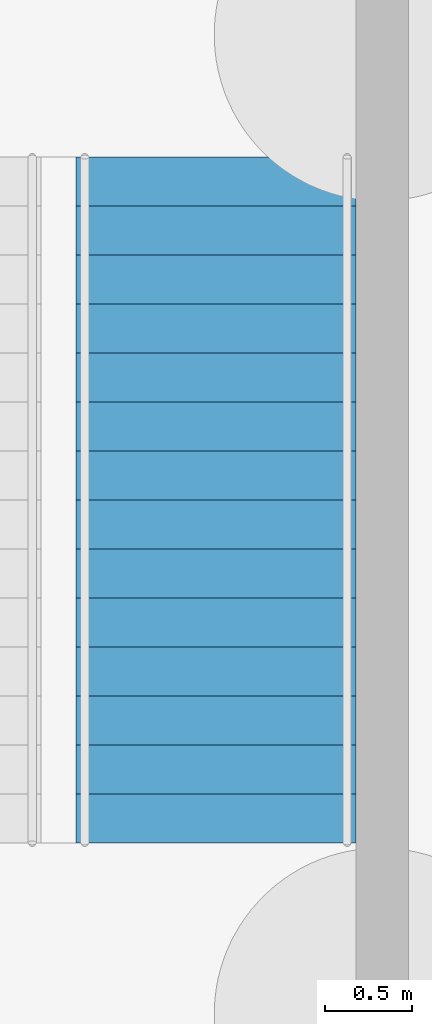
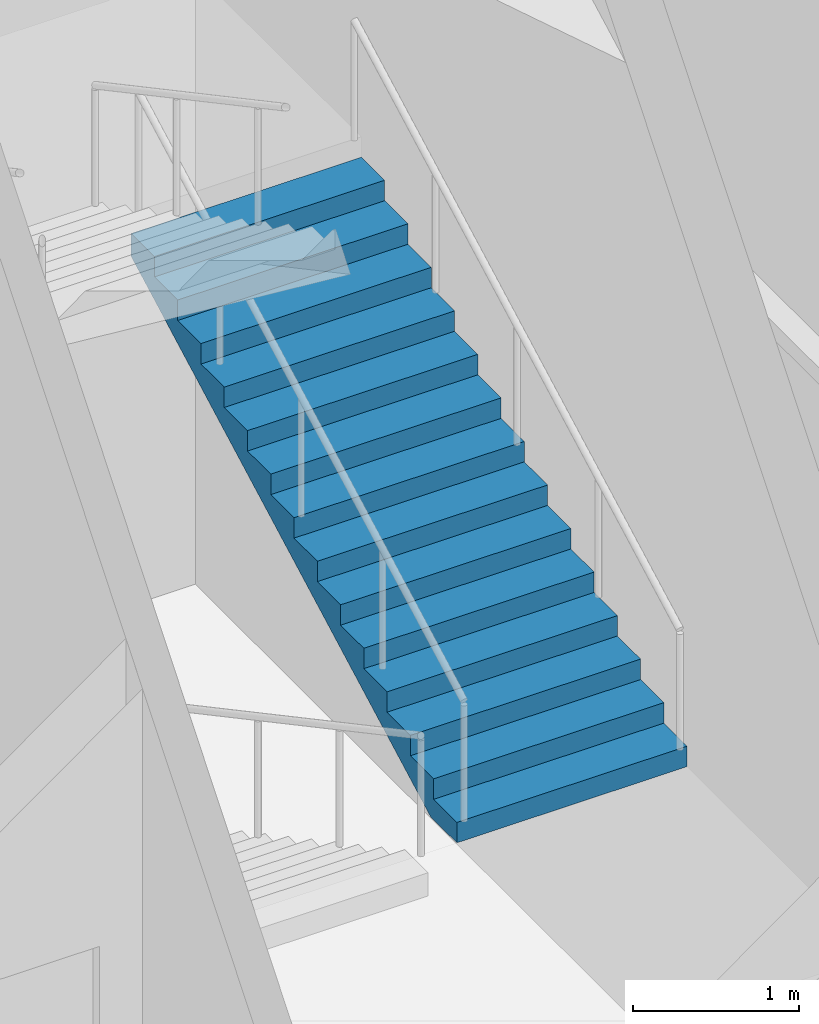
# One storey, part 102 of 113: 1 stair flight, 1 element without a shape of its own.
"""IFC4 building model written with IfcOpenShell, lengths in metres."""

import ifcopenshell
import ifcopenshell.guid

model = None  # the IFC model being written
_history = None  # IfcOwnerHistory: only IFC2X3 demands one
_inside = {}  # id of a spatial element -> (the spatial element, [elements in it])
_under = {}  # id of a project, library or spatial element -> (it, [spatial elements below it])
_declared = {}  # id of a project -> (the project, [libraries it declares])
_typed = {}  # id of a type object -> (the type object, [elements of that type])
_made_of = {}  # id of a material, layer set ... -> (it, [elements and type objects made of it])


def new_model(schema):
    """Start an empty IFC model of exactly this schema.

    Asked for "IFC4X3", IfcOpenShell would pick the latest addendum, in which some entities
    have other attributes; the version numbers below select the first issue.
    IFC2X3 requires an IfcOwnerHistory on every rooted entity: one is made here for all.
    """
    global model, _history
    if schema == "IFC4X3":
        model = ifcopenshell.file(schema_version=(4, 3, 0, 0))
    else:
        model = ifcopenshell.file(schema=schema)
    _inside.clear()
    _under.clear()
    _declared.clear()
    _typed.clear()
    _made_of.clear()
    _history = None
    if model.schema == "IFC2X3":
        org = make("IfcOrganization", Name="unknown")
        user = make(
            "IfcPersonAndOrganization",
            ThePerson=make("IfcPerson", FamilyName="unknown"),
            TheOrganization=org,
        )
        app = make(
            "IfcApplication",
            ApplicationDeveloper=org,
            Version="unknown",
            ApplicationFullName="unknown",
            ApplicationIdentifier="unknown",
        )
        _history = make(
            "IfcOwnerHistory",
            OwningUser=user,
            OwningApplication=app,
            ChangeAction="ADDED",
            CreationDate=0,
        )
    return model


def make(cls, **values):
    """One entity of the class cls with the attributes given. An attribute that is None is left unset."""
    return model.create_entity(
        cls, **{name: value for name, value in values.items() if value is not None}
    )


def rooted(cls, **values):
    """An entity with a GlobalId (a new one), such as an element, a storey or a relation."""
    return make(cls, GlobalId=ifcopenshell.guid.new(), OwnerHistory=_history, **values)


def si_unit(unit_type, name, prefix=None):
    """IfcSIUnit, for example si_unit("LENGTHUNIT", "METRE", prefix="MILLI")."""
    return make("IfcSIUnit", UnitType=unit_type, Prefix=prefix, Name=name)


def assignment(units):
    """IfcUnitAssignment: the units of a project."""
    return None if units is None else make("IfcUnitAssignment", Units=units)


def point(xyz):
    """IfcCartesianPoint."""
    return None if xyz is None else make("IfcCartesianPoint", Coordinates=xyz)


def direction(xyz):
    """IfcDirection."""
    return None if xyz is None else make("IfcDirection", DirectionRatios=xyz)


def frame(location, z_axis=None, x_axis=None):
    """IfcAxis2Placement3D, a coordinate frame: its origin and axes. An axis left out is left unset."""
    return make(
        "IfcAxis2Placement3D",
        Location=point(location),
        Axis=direction(z_axis),
        RefDirection=direction(x_axis),
    )


def origin():
    """The frame at (0, 0, 0) with its axes left unset."""
    return frame((0.0, 0.0, 0.0))


def place(relative_to, where):
    """IfcLocalPlacement: puts the frame where relative to a parent placement (None: the world)."""
    return make(
        "IfcLocalPlacement", PlacementRelTo=relative_to, RelativePlacement=where
    )


def context(
    kind, dimensions, precision=None, world=None, true_north=None, identifier=None
):
    """IfcGeometricRepresentationContext, for example the 3D "Model" context."""
    return make(
        "IfcGeometricRepresentationContext",
        ContextIdentifier=identifier,
        ContextType=kind,
        CoordinateSpaceDimension=dimensions,
        Precision=precision,
        WorldCoordinateSystem=world,
        TrueNorth=true_north,
    )


def subcontext(parent, identifier, kind, view, scale=None):
    """IfcGeometricRepresentationSubContext, for example "Body" below "Model"."""
    return make(
        "IfcGeometricRepresentationSubContext",
        ContextIdentifier=identifier,
        ContextType=kind,
        ParentContext=parent,
        TargetScale=scale,
        TargetView=view,
    )


def project(units=None, contexts=None):
    """IfcProject with its units and contexts."""
    return rooted(
        "IfcProject",
        Name="project",
        RepresentationContexts=contexts,
        UnitsInContext=assignment(units),
    )


def spatial(cls, under=None, at=None, **own):
    """A site, building, storey or space (cls), placed at a placement, below another one or the project."""
    s = rooted(cls, ObjectPlacement=at, **own)
    if under is not None:
        _under.setdefault(under.id(), (under, []))[1].append(s)
    return s


def point_list(points):
    """IfcCartesianPointList2D or 3D."""
    cls = (
        "IfcCartesianPointList2D" if len(points[0]) == 2 else "IfcCartesianPointList3D"
    )
    return make(cls, CoordList=points)


def triangles(points, corners, closed=None, point_numbers=None):
    """IfcTriangulatedFaceSet: each triangle names its three corners, points numbered from 1."""
    return make(
        "IfcTriangulatedFaceSet",
        Coordinates=point_list(points),
        Closed=closed,
        CoordIndex=corners,
        PnIndex=point_numbers,
    )


def shape(context_of_items, identifier, shape_type, items):
    """IfcShapeRepresentation: the items that make up one representation, for example the "Body"."""
    return make(
        "IfcShapeRepresentation",
        ContextOfItems=context_of_items,
        RepresentationIdentifier=identifier,
        RepresentationType=shape_type,
        Items=items,
    )


def material(Name=None, Category=None):
    """IfcMaterial."""
    return make("IfcMaterial", Name=Name, Category=Category)


def made_of(thing, what):
    """Note that an element or type object is made of a material, layer set ...; save() writes the relation."""
    if what is not None:
        _made_of.setdefault(what.id(), (what, []))[1].append(thing)
    return thing


def type_object(cls, material=None, **own):
    """A type object (cls), such as IfcWallType, which elements share."""
    return made_of(rooted(cls, **own), material)


def element(
    cls,
    number,
    at=None,
    inside=None,
    cuts=None,
    type_object=None,
    material=None,
    context=None,
    identifier="Body",
    shape_type=None,
    held_by="IfcProductDefinitionShape",
    body=None,
    shapes=None,
    **own,
):
    """One element of the class cls, such as IfcWall. Its Tag is "e" and its number.

    at: its placement. inside: the storey or other place that contains it. cuts: it is an
    opening in that element (IfcRelVoidsElement). A single representation is given by context,
    identifier, shape_type and body (its items); several are given by shapes. held_by: the class
    of the entity that holds the representations. save() writes the other relations.
    """
    e = rooted(cls, Tag="e%d" % number, ObjectPlacement=at, **own)
    if body is not None:
        shapes = [shape(context, identifier, shape_type, body)]
    if shapes is not None:
        e.Representation = make(held_by, Representations=shapes)
    if inside is not None:
        _inside.setdefault(inside.id(), (inside, []))[1].append(e)
    if cuts is not None:
        rooted(
            "IfcRelVoidsElement", RelatingBuildingElement=cuts, RelatedOpeningElement=e
        )
    if type_object is not None:
        _typed.setdefault(type_object.id(), (type_object, []))[1].append(e)
    return made_of(e, material)


def aggregate(whole, parts):
    """IfcRelAggregates: a whole, such as a stair, and the parts it consists of."""
    return rooted("IfcRelAggregates", RelatingObject=whole, RelatedObjects=parts)


def save(model, path):
    """Write the relations noted so far, then the file.

    IfcRelAggregates (storeys below a building ...), IfcRelContainedInSpatialStructure (elements
    in a storey), IfcRelDefinesByType, IfcRelAssociatesMaterial and IfcRelDeclares: one each for
    every whole, place, type object, material and project.
    """
    for whole, parts in _under.values():
        aggregate(whole, parts)
    for where, things in _inside.values():
        rooted(
            "IfcRelContainedInSpatialStructure",
            RelatedElements=things,
            RelatingStructure=where,
        )
    for kind, things in _typed.values():
        rooted("IfcRelDefinesByType", RelatedObjects=things, RelatingType=kind)
    for what, things in _made_of.values():
        rooted("IfcRelAssociatesMaterial", RelatedObjects=things, RelatingMaterial=what)
    for by, libraries in _declared.values():
        rooted("IfcRelDeclares", RelatingContext=by, RelatedDefinitions=libraries)
    model.write(path)


model = new_model("IFC4")

# Units and contexts
model_context = context("Model", 3, precision=1e-05, world=origin(), true_north=direction((0.0, 1.0)))
body_context = subcontext(model_context, "Body", "Model", "MODEL_VIEW")
ifc_project = project(units=[si_unit("LENGTHUNIT", "METRE"), si_unit("AREAUNIT", "SQUARE_METRE"), si_unit("VOLUMEUNIT", "CUBIC_METRE"), si_unit("PLANEANGLEUNIT", "RADIAN"), si_unit("MASSUNIT", "GRAM", prefix="KILO")], contexts=[model_context])

# Site, building, storey
site_placement = place(None, origin())
site = spatial("IfcSite", under=ifc_project, at=site_placement, CompositionType="ELEMENT")
building_placement = place(site_placement, origin())
building = spatial("IfcBuilding", under=site, at=building_placement, Name="Hakoniwa Tower and Hamabe Station Hall", CompositionType="ELEMENT")
storey_placement = place(building_placement, origin())
storey = spatial("IfcBuildingStorey", under=building, at=storey_placement, Name="L01", CompositionType="ELEMENT", Elevation=0.0)

# Stair, stair flight
ifc_material_1 = material(Name="Concrete C40", Category="concrete")
stair_type = type_object("IfcStairType", Name="STAIR 1600 15X150", PredefinedType="HALF_TURN_STAIR", material=ifc_material_1)
stair_placement = place(storey_placement, origin())
stair = element("IfcStair", 1, at=stair_placement, inside=storey, type_object=stair_type, Name="Escape stair SS4 L01", PredefinedType="HALF_TURN_STAIR")
ifc_material_2 = material(Name="Concrete C40", Category="concrete")
stair_flight_type = type_object("IfcStairFlightType", Name="STAIR FLIGHT 1600", PredefinedType="STRAIGHT", material=ifc_material_2)
stair_flight_placement = place(storey_placement, frame((167.64990234375, -20.820068359375, 2.25), z_axis=(0.0, 0.0, 1.0), x_axis=(0.0, 1.0, 0.0)))
stair_flight = element("IfcStairFlight", 2, at=stair_flight_placement, type_object=stair_flight_type, Name="SS4 flight 2", NumberOfRisers=15, NumberOfTreads=14, PredefinedType="STRAIGHT", RiserHeight=0.15, TreadLength=0.28, context=body_context, shape_type="Tessellation", body=[
    triangles([(0.0, 0.800048828125, 0.0), (0.280029296875, 0.800048828125, 0.0), (0.3173828125, 0.800048828125, 0.0), (0.56005859375, 0.800048828125, 0.1298828125), (0.840087890625, 0.800048828125, 0.280029296875), (1.1201171875, 0.800048828125, 0.429931640625), (1.39990234375, 0.800048828125, 0.579833984375), (1.679931640625, 0.800048828125, 0.72998046875), (1.9599609375, 0.800048828125, 0.8798828125), (2.239990234375, 0.800048828125, 1.030029296875), (2.52001953125, 0.800048828125, 1.179931640625), (2.800048828125, 0.800048828125, 1.329833984375), (3.080078125, 0.800048828125, 1.47998046875), (3.360107421875, 0.800048828125, 1.6298828125), (3.639892578125, 0.800048828125, 1.780029296875), (3.919921875, 0.800048828125, 1.929931640625), (3.919921875, 0.800048828125, 2.10009765625), (3.639892578125, 0.800048828125, 2.10009765625), (3.639892578125, 0.800048828125, 1.949951171875), (3.360107421875, 0.800048828125, 1.949951171875), (3.360107421875, 0.800048828125, 1.800048828125), (3.080078125, 0.800048828125, 1.800048828125), (3.080078125, 0.800048828125, 1.64990234375), (2.800048828125, 0.800048828125, 1.64990234375), (2.800048828125, 0.800048828125, 1.5), (2.52001953125, 0.800048828125, 1.5), (2.52001953125, 0.800048828125, 1.35009765625), (2.239990234375, 0.800048828125, 1.35009765625), (2.239990234375, 0.800048828125, 1.199951171875), (1.9599609375, 0.800048828125, 1.199951171875), (1.9599609375, 0.800048828125, 1.050048828125), (1.679931640625, 0.800048828125, 1.050048828125), (1.679931640625, 0.800048828125, 0.89990234375), (1.39990234375, 0.800048828125, 0.89990234375), (1.39990234375, 0.800048828125, 0.75), (1.1201171875, 0.800048828125, 0.75), (1.1201171875, 0.800048828125, 0.60009765625), (0.840087890625, 0.800048828125, 0.60009765625), (0.840087890625, 0.800048828125, 0.449951171875), (0.56005859375, 0.800048828125, 0.449951171875), (0.56005859375, 0.800048828125, 0.300048828125), (0.3173828125, 0.800048828125, 0.300048828125), (0.280029296875, 0.800048828125, 0.300048828125), (0.280029296875, 0.800048828125, 0.14990234375), (0.0, 0.800048828125, 0.14990234375), (0.0, 0.06005859375, 0.0), (0.280029296875, 0.06005859375, 0.0), (0.3173828125, 0.06005859375, 0.0), (0.56005859375, 0.06005859375, 0.1298828125), (0.840087890625, 0.06005859375, 0.280029296875), (1.1201171875, 0.06005859375, 0.429931640625), (1.39990234375, 0.06005859375, 0.579833984375), (1.679931640625, 0.06005859375, 0.72998046875), (1.9599609375, 0.06005859375, 0.8798828125), (2.239990234375, 0.06005859375, 1.030029296875), (2.52001953125, 0.06005859375, 1.179931640625), (2.800048828125, 0.06005859375, 1.329833984375), (3.080078125, 0.06005859375, 1.47998046875), (3.360107421875, 0.06005859375, 1.6298828125), (3.639892578125, 0.06005859375, 1.780029296875), (3.919921875, 0.06005859375, 1.929931640625), (3.919921875, 0.06005859375, 2.10009765625), (3.639892578125, 0.06005859375, 2.10009765625), (3.639892578125, 0.06005859375, 1.949951171875), (3.360107421875, 0.06005859375, 1.949951171875), (3.360107421875, 0.06005859375, 1.800048828125), (3.080078125, 0.06005859375, 1.800048828125), (3.080078125, 0.06005859375, 1.64990234375), (2.800048828125, 0.06005859375, 1.64990234375), (2.800048828125, 0.06005859375, 1.5), (2.52001953125, 0.06005859375, 1.5), (2.52001953125, 0.06005859375, 1.35009765625), (2.239990234375, 0.06005859375, 1.35009765625), (2.239990234375, 0.06005859375, 1.199951171875), (1.9599609375, 0.06005859375, 1.199951171875), (1.9599609375, 0.06005859375, 1.050048828125), (1.679931640625, 0.06005859375, 1.050048828125), (1.679931640625, 0.06005859375, 0.89990234375), (1.39990234375, 0.06005859375, 0.89990234375), (1.39990234375, 0.06005859375, 0.75), (1.1201171875, 0.06005859375, 0.75), (1.1201171875, 0.06005859375, 0.60009765625), (0.840087890625, 0.06005859375, 0.60009765625), (0.840087890625, 0.06005859375, 0.449951171875), (0.56005859375, 0.06005859375, 0.449951171875), (0.56005859375, 0.06005859375, 0.300048828125), (0.3173828125, 0.06005859375, 0.300048828125), (0.280029296875, 0.06005859375, 0.300048828125), (0.280029296875, 0.06005859375, 0.14990234375), (0.0, 0.06005859375, 0.14990234375), (0.0, 0.02001953125, 0.0), (0.280029296875, 0.02001953125, 0.0), (0.3173828125, 0.02001953125, 0.0), (0.56005859375, 0.02001953125, 0.1298828125), (0.840087890625, 0.02001953125, 0.280029296875), (1.1201171875, 0.02001953125, 0.429931640625), (1.39990234375, 0.02001953125, 0.579833984375), (1.679931640625, 0.02001953125, 0.72998046875), (1.9599609375, 0.02001953125, 0.8798828125), (2.239990234375, 0.02001953125, 1.030029296875), (2.52001953125, 0.02001953125, 1.179931640625), (2.800048828125, 0.02001953125, 1.329833984375), (3.080078125, 0.02001953125, 1.47998046875), (3.360107421875, 0.02001953125, 1.6298828125), (3.639892578125, 0.02001953125, 1.780029296875), (3.919921875, 0.02001953125, 1.929931640625), (3.919921875, 0.02001953125, 2.10009765625), (3.639892578125, 0.02001953125, 2.10009765625), (3.639892578125, 0.02001953125, 1.949951171875), (3.360107421875, 0.02001953125, 1.949951171875), (3.360107421875, 0.02001953125, 1.800048828125), (3.080078125, 0.02001953125, 1.800048828125), (3.080078125, 0.02001953125, 1.64990234375), (2.800048828125, 0.02001953125, 1.64990234375), (2.800048828125, 0.02001953125, 1.5), (2.52001953125, 0.02001953125, 1.5), (2.52001953125, 0.02001953125, 1.35009765625), (2.239990234375, 0.02001953125, 1.35009765625), (2.239990234375, 0.02001953125, 1.199951171875), (1.9599609375, 0.02001953125, 1.199951171875), (1.9599609375, 0.02001953125, 1.050048828125), (1.679931640625, 0.02001953125, 1.050048828125), (1.679931640625, 0.02001953125, 0.89990234375), (1.39990234375, 0.02001953125, 0.89990234375), (1.39990234375, 0.02001953125, 0.75), (1.1201171875, 0.02001953125, 0.75), (1.1201171875, 0.02001953125, 0.60009765625), (0.840087890625, 0.02001953125, 0.60009765625), (0.840087890625, 0.02001953125, 0.449951171875), (0.56005859375, 0.02001953125, 0.449951171875), (0.56005859375, 0.02001953125, 0.300048828125), (0.3173828125, 0.02001953125, 0.300048828125), (0.280029296875, 0.02001953125, 0.300048828125), (0.280029296875, 0.02001953125, 0.14990234375), (0.0, 0.02001953125, 0.14990234375), (0.0, -0.02001953125, 0.0), (0.280029296875, -0.02001953125, 0.0), (0.3173828125, -0.02001953125, 0.0), (0.56005859375, -0.02001953125, 0.1298828125), (0.840087890625, -0.02001953125, 0.280029296875), (1.1201171875, -0.02001953125, 0.429931640625), (1.39990234375, -0.02001953125, 0.579833984375), (1.679931640625, -0.02001953125, 0.72998046875), (1.9599609375, -0.02001953125, 0.8798828125), (2.239990234375, -0.02001953125, 1.030029296875), (2.52001953125, -0.02001953125, 1.179931640625), (2.800048828125, -0.02001953125, 1.329833984375), (3.080078125, -0.02001953125, 1.47998046875), (3.360107421875, -0.02001953125, 1.6298828125), (3.639892578125, -0.02001953125, 1.780029296875), (3.919921875, -0.02001953125, 1.929931640625), (3.919921875, -0.02001953125, 2.10009765625), (3.639892578125, -0.02001953125, 2.10009765625), (3.639892578125, -0.02001953125, 1.949951171875), (3.360107421875, -0.02001953125, 1.949951171875), (3.360107421875, -0.02001953125, 1.800048828125), (3.080078125, -0.02001953125, 1.800048828125), (3.080078125, -0.02001953125, 1.64990234375), (2.800048828125, -0.02001953125, 1.64990234375), (2.800048828125, -0.02001953125, 1.5), (2.52001953125, -0.02001953125, 1.5), (2.52001953125, -0.02001953125, 1.35009765625), (2.239990234375, -0.02001953125, 1.35009765625), (2.239990234375, -0.02001953125, 1.199951171875), (1.9599609375, -0.02001953125, 1.199951171875), (1.9599609375, -0.02001953125, 1.050048828125), (1.679931640625, -0.02001953125, 1.050048828125), (1.679931640625, -0.02001953125, 0.89990234375), (1.39990234375, -0.02001953125, 0.89990234375), (1.39990234375, -0.02001953125, 0.75), (1.1201171875, -0.02001953125, 0.75), (1.1201171875, -0.02001953125, 0.60009765625), (0.840087890625, -0.02001953125, 0.60009765625), (0.840087890625, -0.02001953125, 0.449951171875), (0.56005859375, -0.02001953125, 0.449951171875), (0.56005859375, -0.02001953125, 0.300048828125), (0.3173828125, -0.02001953125, 0.300048828125), (0.280029296875, -0.02001953125, 0.300048828125), (0.280029296875, -0.02001953125, 0.14990234375), (0.0, -0.02001953125, 0.14990234375), (0.0, -0.06005859375, 0.0), (0.280029296875, -0.06005859375, 0.0), (0.3173828125, -0.06005859375, 0.0), (0.56005859375, -0.06005859375, 0.1298828125), (0.840087890625, -0.06005859375, 0.280029296875), (1.1201171875, -0.06005859375, 0.429931640625), (1.39990234375, -0.06005859375, 0.579833984375), (1.679931640625, -0.06005859375, 0.72998046875), (1.9599609375, -0.06005859375, 0.8798828125), (2.239990234375, -0.06005859375, 1.030029296875), (2.52001953125, -0.06005859375, 1.179931640625), (2.800048828125, -0.06005859375, 1.329833984375), (3.080078125, -0.06005859375, 1.47998046875), (3.360107421875, -0.06005859375, 1.6298828125), (3.639892578125, -0.06005859375, 1.780029296875), (3.919921875, -0.06005859375, 1.929931640625), (3.919921875, -0.06005859375, 2.10009765625), (3.639892578125, -0.06005859375, 2.10009765625), (3.639892578125, -0.06005859375, 1.949951171875), (3.360107421875, -0.06005859375, 1.949951171875), (3.360107421875, -0.06005859375, 1.800048828125), (3.080078125, -0.06005859375, 1.800048828125), (3.080078125, -0.06005859375, 1.64990234375), (2.800048828125, -0.06005859375, 1.64990234375), (2.800048828125, -0.06005859375, 1.5), (2.52001953125, -0.06005859375, 1.5), (2.52001953125, -0.06005859375, 1.35009765625), (2.239990234375, -0.06005859375, 1.35009765625), (2.239990234375, -0.06005859375, 1.199951171875), (1.9599609375, -0.06005859375, 1.199951171875), (1.9599609375, -0.06005859375, 1.050048828125), (1.679931640625, -0.06005859375, 1.050048828125), (1.679931640625, -0.06005859375, 0.89990234375), (1.39990234375, -0.06005859375, 0.89990234375), (1.39990234375, -0.06005859375, 0.75), (1.1201171875, -0.06005859375, 0.75), (1.1201171875, -0.06005859375, 0.60009765625), (0.840087890625, -0.06005859375, 0.60009765625), (0.840087890625, -0.06005859375, 0.449951171875), (0.56005859375, -0.06005859375, 0.449951171875), (0.56005859375, -0.06005859375, 0.300048828125), (0.3173828125, -0.06005859375, 0.300048828125), (0.280029296875, -0.06005859375, 0.300048828125), (0.280029296875, -0.06005859375, 0.14990234375), (0.0, -0.06005859375, 0.14990234375), (0.0, -0.800048828125, 0.0), (0.280029296875, -0.800048828125, 0.0), (0.3173828125, -0.800048828125, 0.0), (0.56005859375, -0.800048828125, 0.1298828125), (0.840087890625, -0.800048828125, 0.280029296875), (1.1201171875, -0.800048828125, 0.429931640625), (1.39990234375, -0.800048828125, 0.579833984375), (1.679931640625, -0.800048828125, 0.72998046875), (1.9599609375, -0.800048828125, 0.8798828125), (2.239990234375, -0.800048828125, 1.030029296875), (2.52001953125, -0.800048828125, 1.179931640625), (2.800048828125, -0.800048828125, 1.329833984375), (3.080078125, -0.800048828125, 1.47998046875), (3.360107421875, -0.800048828125, 1.6298828125), (3.639892578125, -0.800048828125, 1.780029296875), (3.919921875, -0.800048828125, 1.929931640625), (3.919921875, -0.800048828125, 2.10009765625), (3.639892578125, -0.800048828125, 2.10009765625), (3.639892578125, -0.800048828125, 1.949951171875), (3.360107421875, -0.800048828125, 1.949951171875), (3.360107421875, -0.800048828125, 1.800048828125), (3.080078125, -0.800048828125, 1.800048828125), (3.080078125, -0.800048828125, 1.64990234375), (2.800048828125, -0.800048828125, 1.64990234375), (2.800048828125, -0.800048828125, 1.5), (2.52001953125, -0.800048828125, 1.5), (2.52001953125, -0.800048828125, 1.35009765625), (2.239990234375, -0.800048828125, 1.35009765625), (2.239990234375, -0.800048828125, 1.199951171875), (1.9599609375, -0.800048828125, 1.199951171875), (1.9599609375, -0.800048828125, 1.050048828125), (1.679931640625, -0.800048828125, 1.050048828125), (1.679931640625, -0.800048828125, 0.89990234375), (1.39990234375, -0.800048828125, 0.89990234375), (1.39990234375, -0.800048828125, 0.75), (1.1201171875, -0.800048828125, 0.75), (1.1201171875, -0.800048828125, 0.60009765625), (0.840087890625, -0.800048828125, 0.60009765625), (0.840087890625, -0.800048828125, 0.449951171875), (0.56005859375, -0.800048828125, 0.449951171875), (0.56005859375, -0.800048828125, 0.300048828125), (0.3173828125, -0.800048828125, 0.300048828125), (0.280029296875, -0.800048828125, 0.300048828125), (0.280029296875, -0.800048828125, 0.14990234375), (0.0, -0.800048828125, 0.14990234375)], [[2, 45, 44], [227, 269, 270], [2, 1, 45], [227, 270, 226], [3, 43, 42], [228, 267, 268], [3, 44, 43], [228, 268, 269], [3, 2, 44], [228, 269, 227], [4, 42, 41], [229, 266, 267], [4, 3, 42], [229, 267, 228], [5, 40, 39], [230, 264, 265], [5, 41, 40], [230, 265, 266], [5, 4, 41], [230, 266, 229], [6, 38, 37], [231, 262, 263], [6, 39, 38], [231, 263, 264], [6, 5, 39], [231, 264, 230], [7, 36, 35], [232, 260, 261], [7, 37, 36], [232, 261, 262], [7, 6, 37], [232, 262, 231], [8, 34, 33], [233, 258, 259], [8, 35, 34], [233, 259, 260], [8, 7, 35], [233, 260, 232], [9, 32, 31], [234, 256, 257], [9, 33, 32], [234, 257, 258], [9, 8, 33], [234, 258, 233], [10, 30, 29], [235, 254, 255], [10, 31, 30], [235, 255, 256], [10, 9, 31], [235, 256, 234], [11, 28, 27], [236, 252, 253], [11, 29, 28], [236, 253, 254], [11, 10, 29], [236, 254, 235], [12, 26, 25], [237, 250, 251], [12, 27, 26], [237, 251, 252], [12, 11, 27], [237, 252, 236], [13, 24, 23], [238, 248, 249], [13, 25, 24], [238, 249, 250], [13, 12, 25], [238, 250, 237], [14, 22, 21], [239, 246, 247], [14, 23, 22], [239, 247, 248], [14, 13, 23], [239, 248, 238], [15, 20, 19], [240, 244, 245], [15, 21, 20], [240, 245, 246], [15, 14, 21], [240, 246, 239], [16, 18, 17], [241, 242, 243], [16, 19, 18], [241, 243, 244], [16, 15, 19], [241, 244, 240], [1, 2, 47], [1, 47, 46], [46, 47, 92], [46, 92, 91], [91, 92, 137], [91, 137, 136], [136, 137, 182], [136, 182, 181], [181, 182, 227], [181, 227, 226], [2, 3, 48], [2, 48, 47], [47, 48, 93], [47, 93, 92], [92, 93, 138], [92, 138, 137], [137, 138, 183], [137, 183, 182], [182, 183, 228], [182, 228, 227], [3, 4, 49], [3, 49, 48], [48, 49, 94], [48, 94, 93], [93, 94, 139], [93, 139, 138], [138, 139, 184], [138, 184, 183], [183, 184, 229], [183, 229, 228], [4, 5, 50], [4, 50, 49], [49, 50, 95], [49, 95, 94], [94, 95, 140], [94, 140, 139], [139, 140, 185], [139, 185, 184], [184, 185, 230], [184, 230, 229], [5, 6, 51], [5, 51, 50], [50, 51, 96], [50, 96, 95], [95, 96, 141], [95, 141, 140], [140, 141, 186], [140, 186, 185], [185, 186, 231], [185, 231, 230], [6, 7, 52], [6, 52, 51], [51, 52, 97], [51, 97, 96], [96, 97, 142], [96, 142, 141], [141, 142, 187], [141, 187, 186], [186, 187, 232], [186, 232, 231], [7, 8, 53], [7, 53, 52], [52, 53, 98], [52, 98, 97], [97, 98, 143], [97, 143, 142], [142, 143, 188], [142, 188, 187], [187, 188, 233], [187, 233, 232], [8, 9, 54], [8, 54, 53], [53, 54, 99], [53, 99, 98], [98, 99, 144], [98, 144, 143], [143, 144, 189], [143, 189, 188], [188, 189, 234], [188, 234, 233], [9, 10, 55], [9, 55, 54], [54, 55, 100], [54, 100, 99], [99, 100, 145], [99, 145, 144], [144, 145, 190], [144, 190, 189], [189, 190, 235], [189, 235, 234], [10, 11, 56], [10, 56, 55], [55, 56, 101], [55, 101, 100], [100, 101, 146], [100, 146, 145], [145, 146, 191], [145, 191, 190], [190, 191, 236], [190, 236, 235], [11, 12, 57], [11, 57, 56], [56, 57, 102], [56, 102, 101], [101, 102, 147], [101, 147, 146], [146, 147, 192], [146, 192, 191], [191, 192, 237], [191, 237, 236], [12, 13, 58], [12, 58, 57], [57, 58, 103], [57, 103, 102], [102, 103, 148], [102, 148, 147], [147, 148, 193], [147, 193, 192], [192, 193, 238], [192, 238, 237], [13, 14, 59], [13, 59, 58], [58, 59, 104], [58, 104, 103], [103, 104, 149], [103, 149, 148], [148, 149, 194], [148, 194, 193], [193, 194, 239], [193, 239, 238], [14, 15, 60], [14, 60, 59], [59, 60, 105], [59, 105, 104], [104, 105, 150], [104, 150, 149], [149, 150, 195], [149, 195, 194], [194, 195, 240], [194, 240, 239], [15, 16, 61], [15, 61, 60], [60, 61, 106], [60, 106, 105], [105, 106, 151], [105, 151, 150], [150, 151, 196], [150, 196, 195], [195, 196, 241], [195, 241, 240], [16, 17, 62], [16, 62, 61], [61, 62, 107], [61, 107, 106], [106, 107, 152], [106, 152, 151], [151, 152, 197], [151, 197, 196], [196, 197, 242], [196, 242, 241], [17, 18, 63], [17, 63, 62], [62, 63, 108], [62, 108, 107], [107, 108, 153], [107, 153, 152], [152, 153, 198], [152, 198, 197], [197, 198, 243], [197, 243, 242], [18, 19, 64], [18, 64, 63], [63, 64, 109], [63, 109, 108], [108, 109, 154], [108, 154, 153], [153, 154, 199], [153, 199, 198], [198, 199, 244], [198, 244, 243], [19, 20, 65], [19, 65, 64], [64, 65, 110], [64, 110, 109], [109, 110, 155], [109, 155, 154], [154, 155, 200], [154, 200, 199], [199, 200, 245], [199, 245, 244], [20, 21, 66], [20, 66, 65], [65, 66, 111], [65, 111, 110], [110, 111, 156], [110, 156, 155], [155, 156, 201], [155, 201, 200], [200, 201, 246], [200, 246, 245], [21, 22, 67], [21, 67, 66], [66, 67, 112], [66, 112, 111], [111, 112, 157], [111, 157, 156], [156, 157, 202], [156, 202, 201], [201, 202, 247], [201, 247, 246], [22, 23, 68], [22, 68, 67], [67, 68, 113], [67, 113, 112], [112, 113, 158], [112, 158, 157], [157, 158, 203], [157, 203, 202], [202, 203, 248], [202, 248, 247], [23, 24, 69], [23, 69, 68], [68, 69, 114], [68, 114, 113], [113, 114, 159], [113, 159, 158], [158, 159, 204], [158, 204, 203], [203, 204, 249], [203, 249, 248], [24, 25, 70], [24, 70, 69], [69, 70, 115], [69, 115, 114], [114, 115, 160], [114, 160, 159], [159, 160, 205], [159, 205, 204], [204, 205, 250], [204, 250, 249], [25, 26, 71], [25, 71, 70], [70, 71, 116], [70, 116, 115], [115, 116, 161], [115, 161, 160], [160, 161, 206], [160, 206, 205], [205, 206, 251], [205, 251, 250], [26, 27, 72], [26, 72, 71], [71, 72, 117], [71, 117, 116], [116, 117, 162], [116, 162, 161], [161, 162, 207], [161, 207, 206], [206, 207, 252], [206, 252, 251], [27, 28, 73], [27, 73, 72], [72, 73, 118], [72, 118, 117], [117, 118, 163], [117, 163, 162], [162, 163, 208], [162, 208, 207], [207, 208, 253], [207, 253, 252], [28, 29, 74], [28, 74, 73], [73, 74, 119], [73, 119, 118], [118, 119, 164], [118, 164, 163], [163, 164, 209], [163, 209, 208], [208, 209, 254], [208, 254, 253], [29, 30, 75], [29, 75, 74], [74, 75, 120], [74, 120, 119], [119, 120, 165], [119, 165, 164], [164, 165, 210], [164, 210, 209], [209, 210, 255], [209, 255, 254], [30, 31, 76], [30, 76, 75], [75, 76, 121], [75, 121, 120], [120, 121, 166], [120, 166, 165], [165, 166, 211], [165, 211, 210], [210, 211, 256], [210, 256, 255], [31, 32, 77], [31, 77, 76], [76, 77, 122], [76, 122, 121], [121, 122, 167], [121, 167, 166], [166, 167, 212], [166, 212, 211], [211, 212, 257], [211, 257, 256], [32, 33, 78], [32, 78, 77], [77, 78, 123], [77, 123, 122], [122, 123, 168], [122, 168, 167], [167, 168, 213], [167, 213, 212], [212, 213, 258], [212, 258, 257], [33, 34, 79], [33, 79, 78], [78, 79, 124], [78, 124, 123], [123, 124, 169], [123, 169, 168], [168, 169, 214], [168, 214, 213], [213, 214, 259], [213, 259, 258], [34, 35, 80], [34, 80, 79], [79, 80, 125], [79, 125, 124], [124, 125, 170], [124, 170, 169], [169, 170, 215], [169, 215, 214], [214, 215, 260], [214, 260, 259], [35, 36, 81], [35, 81, 80], [80, 81, 126], [80, 126, 125], [125, 126, 171], [125, 171, 170], [170, 171, 216], [170, 216, 215], [215, 216, 261], [215, 261, 260], [36, 37, 82], [36, 82, 81], [81, 82, 127], [81, 127, 126], [126, 127, 172], [126, 172, 171], [171, 172, 217], [171, 217, 216], [216, 217, 262], [216, 262, 261], [37, 38, 83], [37, 83, 82], [82, 83, 128], [82, 128, 127], [127, 128, 173], [127, 173, 172], [172, 173, 218], [172, 218, 217], [217, 218, 263], [217, 263, 262], [38, 39, 84], [38, 84, 83], [83, 84, 129], [83, 129, 128], [128, 129, 174], [128, 174, 173], [173, 174, 219], [173, 219, 218], [218, 219, 264], [218, 264, 263], [39, 40, 85], [39, 85, 84], [84, 85, 130], [84, 130, 129], [129, 130, 175], [129, 175, 174], [174, 175, 220], [174, 220, 219], [219, 220, 265], [219, 265, 264], [40, 41, 86], [40, 86, 85], [85, 86, 131], [85, 131, 130], [130, 131, 176], [130, 176, 175], [175, 176, 221], [175, 221, 220], [220, 221, 266], [220, 266, 265], [41, 42, 87], [41, 87, 86], [86, 87, 132], [86, 132, 131], [131, 132, 177], [131, 177, 176], [176, 177, 222], [176, 222, 221], [221, 222, 267], [221, 267, 266], [42, 43, 88], [42, 88, 87], [87, 88, 133], [87, 133, 132], [132, 133, 178], [132, 178, 177], [177, 178, 223], [177, 223, 222], [222, 223, 268], [222, 268, 267], [43, 44, 89], [43, 89, 88], [88, 89, 134], [88, 134, 133], [133, 134, 179], [133, 179, 178], [178, 179, 224], [178, 224, 223], [223, 224, 269], [223, 269, 268], [44, 45, 90], [44, 90, 89], [89, 90, 135], [89, 135, 134], [134, 135, 180], [134, 180, 179], [179, 180, 225], [179, 225, 224], [224, 225, 270], [224, 270, 269], [45, 1, 46], [45, 46, 90], [90, 46, 91], [90, 91, 135], [135, 91, 136], [135, 136, 180], [180, 136, 181], [180, 181, 225], [225, 181, 226], [225, 226, 270]], closed=True),
])
aggregate(stair, [stair_flight])

save(model, "model.ifc")
